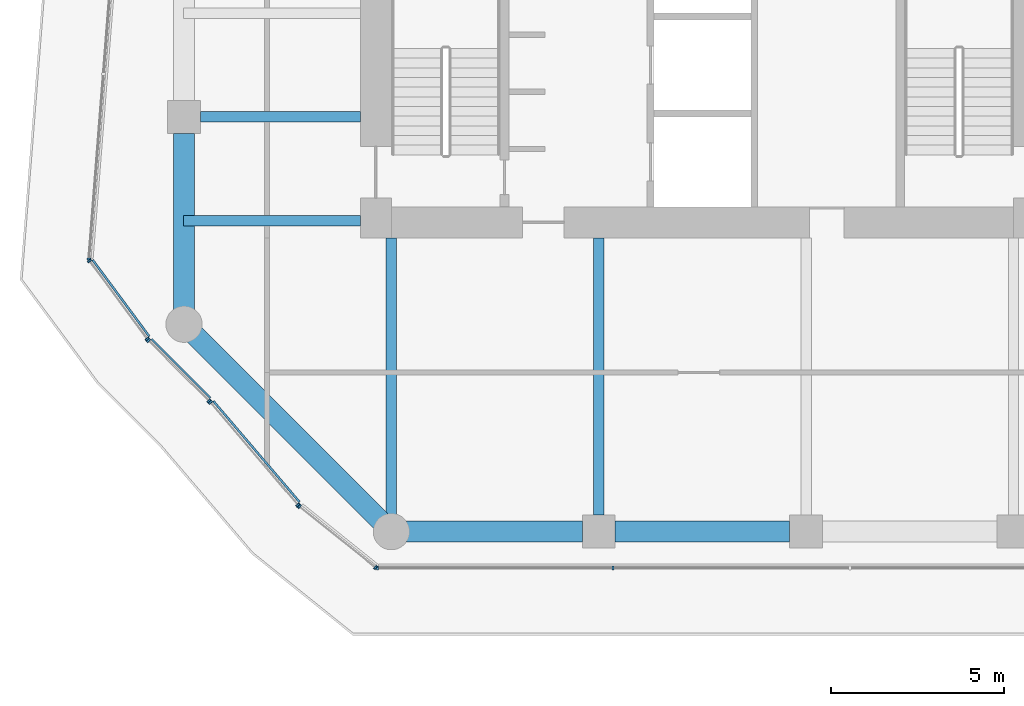
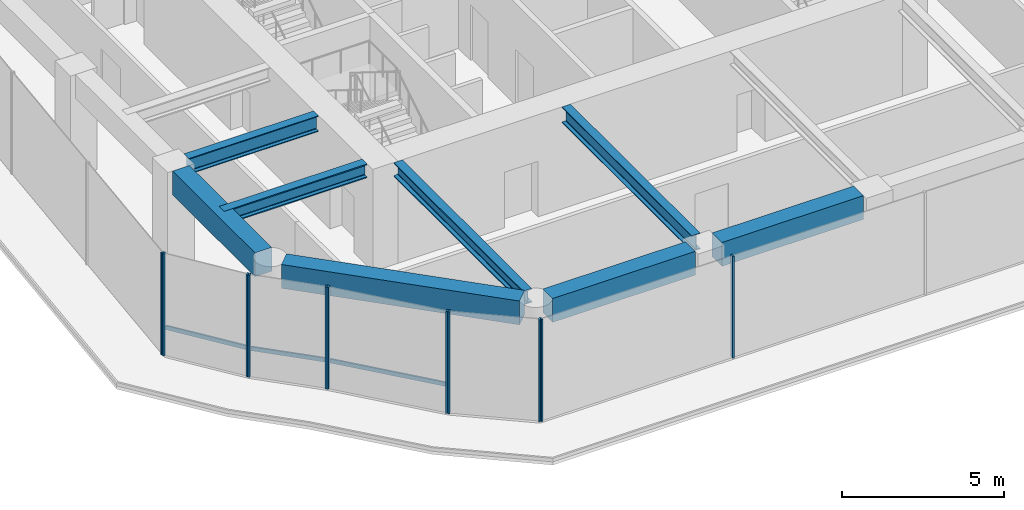
# One storey, part 2 of 29: 14 members, 8 beams, 6 elements without a shape of their own.
"""IFC4 building model written with IfcOpenShell, lengths in metres."""

from ifc_helpers import new_model, si_unit, direction, frame, origin, origin_2d, place, context, subcontext, project, spatial, rectangle, i_section, extrude, material, layer, layer_set, material_profile, profile_set, type_object, element, aggregate, save


model = new_model("IFC4")

# Units and contexts
model_context = context("Model", 3, precision=1e-05, world=origin(), true_north=direction((0.0, 1.0)))
body_context = subcontext(model_context, "Body", "Model", "MODEL_VIEW")
ifc_project = project(units=[si_unit("LENGTHUNIT", "METRE"), si_unit("AREAUNIT", "SQUARE_METRE"), si_unit("VOLUMEUNIT", "CUBIC_METRE"), si_unit("PLANEANGLEUNIT", "RADIAN"), si_unit("MASSUNIT", "GRAM", prefix="KILO")], contexts=[model_context])

# Site, building, storey
site_placement = place(None, origin())
site = spatial("IfcSite", under=ifc_project, at=site_placement, CompositionType="ELEMENT")
building_placement = place(site_placement, origin())
building = spatial("IfcBuilding", under=site, at=building_placement, Name="Welwitschia Terrace Campus", CompositionType="ELEMENT")
storey_placement = place(building_placement, frame((0.0, 0.0, 33.199951171875)))
storey = spatial("IfcBuildingStorey", under=building, at=storey_placement, Name="L07", CompositionType="ELEMENT", Elevation=33.199951171875)

# Beams
ifc_material_1 = material(Name="Steel S355", Category="steel")
ifc_material_profile_1 = material_profile(ifc_material_1, i_section(OverallWidth=0.305908203125, OverallDepth=0.52392578125, WebThickness=0.02099609375, FlangeThickness=0.0400390625, FilletRadius=0.027099609375, at=origin_2d()))
ifc_profile_set_1 = profile_set([ifc_material_profile_1], Name="Steel S355")
beam_type_1 = type_object("IfcBeamType", Name="Interior girder HE 500 M", PredefinedType="BEAM", material=ifc_profile_set_1)
beam_1_placement = place(storey_placement, frame((-0.010009765625, 5.0, 3.588134765625), z_axis=(1.0, 0.0, 0.0), x_axis=(0.0, 1.0, 0.0)))
element("IfcBeam", 1, at=beam_1_placement, inside=storey, type_object=beam_type_1, Name="Girder GB2", PredefinedType="BEAM", context=body_context, shape_type="SweptSolid", body=[
    extrude(i_section(OverallWidth=0.305908203125, OverallDepth=0.52392578125, WebThickness=0.02099609375, FlangeThickness=0.0400390625, FilletRadius=0.027099609375, at=origin_2d()), origin(), (0.0, 0.0, 1.0), 5.109130859375),
])
beam_2_placement = place(storey_placement, frame((6.0, -3.507080078125, 3.588134765625), z_axis=(0.0, 1.0, 0.0), x_axis=(-1.0, 0.0, 0.0)))
element("IfcBeam", 2, at=beam_2_placement, inside=storey, type_object=beam_type_1, Name="Girder GB2", PredefinedType="BEAM", context=body_context, shape_type="SweptSolid", body=[
    extrude(i_section(OverallWidth=0.305908203125, OverallDepth=0.52392578125, WebThickness=0.02099609375, FlangeThickness=0.0400390625, FilletRadius=0.027099609375, at=origin_2d()), origin(), (0.0, 0.0, 1.0), 8.006103515625),
])

# Curtain wall, member
ifc_material_2 = material(Name="Bronze anodised aluminium", Category="aluminium")
ifc_layer = layer(ifc_material_2, 0.1201171875)
ifc_layer_set = layer_set([ifc_layer], Name="Bronze anodised aluminium")
curtain_wall_type = type_object("IfcCurtainWallType", Name="Curtain wall CW2 tower 6000", PredefinedType="NOTDEFINED", material=ifc_layer_set)
curtain_wall_1_placement = place(storey_placement, origin())
curtain_wall_1 = element("IfcCurtainWall", 3, at=curtain_wall_1_placement, inside=storey, type_object=curtain_wall_type, Name="CW L07.0.0", PredefinedType="NOTDEFINED")
ifc_material_3 = material(Name="Bronze anodised aluminium", Category="aluminium")
ifc_material_profile_2 = material_profile(ifc_material_3, rectangle(XDim=0.1201171875, YDim=0.06005859375, at=origin_2d()))
ifc_profile_set_2 = profile_set([ifc_material_profile_2], Name="Bronze anodised aluminium")
member_type_1 = type_object("IfcMemberType", Name="Mullion 60x120", PredefinedType="MULLION", material=ifc_profile_set_2)
member_1_placement = place(storey_placement, frame((-2.7509765625, 3.886474609375, 0.0), z_axis=(0.0, 0.0, 1.0), x_axis=(0.996917333733, -0.078459095728, 0.0)))
member_1 = element("IfcMember", 4, at=member_1_placement, type_object=member_type_1, Name="Mullion L07.0.0.4", PredefinedType="MULLION", context=body_context, shape_type="SweptSolid", body=[
    extrude(rectangle(XDim=0.1201171875, YDim=0.06005859375, at=origin_2d()), origin(), (0.0, 0.0, 1.0), 3.85009765625),
])
aggregate(curtain_wall_1, [member_1])

# Curtain wall, members
curtain_wall_2_placement = place(storey_placement, origin())
curtain_wall_2 = element("IfcCurtainWall", 5, at=curtain_wall_2_placement, inside=storey, type_object=curtain_wall_type, Name="CW L07.1.0", PredefinedType="NOTDEFINED")
member_2_placement = place(storey_placement, frame((-2.735595703125, 3.83251953125, 0.0), z_axis=(0.0, 0.0, 1.0), x_axis=(0.803710407844, 0.595020655375, 0.0)))
member_2 = element("IfcMember", 6, at=member_2_placement, type_object=member_type_1, Name="Mullion L07.1.0.0", PredefinedType="MULLION", context=body_context, shape_type="SweptSolid", body=[
    extrude(rectangle(XDim=0.1201171875, YDim=0.06005859375, at=origin_2d()), origin(), (0.0, 0.0, 1.0), 3.85009765625),
])
member_3_placement = place(storey_placement, frame((-1.06201171875, 1.572021484375, 0.0), z_axis=(0.0, 0.0, 1.0), x_axis=(0.803710407844, 0.595020655375, 0.0)))
member_3 = element("IfcMember", 7, at=member_3_placement, type_object=member_type_1, Name="Mullion L07.1.0.1", PredefinedType="MULLION", context=body_context, shape_type="SweptSolid", body=[
    extrude(rectangle(XDim=0.1201171875, YDim=0.06005859375, at=origin_2d()), origin(), (0.0, 0.0, 1.0), 3.85009765625),
])

curtain_wall_3_placement = place(storey_placement, origin())
curtain_wall_3 = element("IfcCurtainWall", 8, at=curtain_wall_3_placement, inside=storey, type_object=curtain_wall_type, Name="CW L07.2.0", PredefinedType="NOTDEFINED")
member_4_placement = place(storey_placement, frame((-1.02294921875, 1.526611328125, 0.0), z_axis=(0.0, 0.0, 1.0), x_axis=(0.707106781187, 0.707106781187, 0.0)))
member_4 = element("IfcMember", 9, at=member_4_placement, type_object=member_type_1, Name="Mullion L07.2.0.0", PredefinedType="MULLION", context=body_context, shape_type="SweptSolid", body=[
    extrude(rectangle(XDim=0.1201171875, YDim=0.06005859375, at=origin_2d()), origin(), (0.0, 0.0, 1.0), 3.85009765625),
])
member_5_placement = place(storey_placement, frame((0.719482421875, -0.2158203125, 0.0), z_axis=(0.0, 0.0, 1.0), x_axis=(0.707106781187, 0.707106781187, 0.0)))
member_5 = element("IfcMember", 10, at=member_5_placement, type_object=member_type_1, Name="Mullion L07.2.0.1", PredefinedType="MULLION", context=body_context, shape_type="SweptSolid", body=[
    extrude(rectangle(XDim=0.1201171875, YDim=0.06005859375, at=origin_2d()), origin(), (0.0, 0.0, 1.0), 3.85009765625),
])

curtain_wall_4_placement = place(storey_placement, origin())
curtain_wall_4 = element("IfcCurtainWall", 11, at=curtain_wall_4_placement, inside=storey, type_object=curtain_wall_type, Name="CW L07.3.0", PredefinedType="NOTDEFINED")
member_6_placement = place(storey_placement, frame((0.76025390625, -0.259765625, 0.0), z_axis=(0.0, 0.0, 1.0), x_axis=(0.7604059656, 0.64944804833, 0.0)))
member_6 = element("IfcMember", 12, at=member_6_placement, type_object=member_type_1, Name="Mullion L07.3.0.0", PredefinedType="MULLION", context=body_context, shape_type="SweptSolid", body=[
    extrude(rectangle(XDim=0.1201171875, YDim=0.06005859375, at=origin_2d()), origin(), (0.0, 0.0, 1.0), 3.85009765625),
])
member_7_placement = place(storey_placement, frame((3.294921875, -3.2275390625, 0.0), z_axis=(0.0, 0.0, 1.0), x_axis=(0.7604059656, 0.64944804833, 0.0)))
member_7 = element("IfcMember", 13, at=member_7_placement, type_object=member_type_1, Name="Mullion L07.3.0.1", PredefinedType="MULLION", context=body_context, shape_type="SweptSolid", body=[
    extrude(rectangle(XDim=0.1201171875, YDim=0.06005859375, at=origin_2d()), origin(), (0.0, 0.0, 1.0), 3.85009765625),
])

curtain_wall_5_placement = place(storey_placement, origin())
curtain_wall_5 = element("IfcCurtainWall", 14, at=curtain_wall_5_placement, inside=storey, type_object=curtain_wall_type, Name="CW L07.4.0", PredefinedType="NOTDEFINED")
member_8_placement = place(storey_placement, frame((3.337890625, -3.26904296875, 0.0), z_axis=(0.0, 0.0, 1.0), x_axis=(0.626145035891, 0.77970660766, 0.0)))
member_8 = element("IfcMember", 15, at=member_8_placement, type_object=member_type_1, Name="Mullion L07.4.0.0", PredefinedType="MULLION", context=body_context, shape_type="SweptSolid", body=[
    extrude(rectangle(XDim=0.1201171875, YDim=0.06005859375, at=origin_2d()), origin(), (0.0, 0.0, 1.0), 3.85009765625),
])
member_9_placement = place(storey_placement, frame((5.5419921875, -5.039306640625, 0.0), z_axis=(0.0, 0.0, 1.0), x_axis=(0.626145035891, 0.77970660766, 0.0)))
member_9 = element("IfcMember", 16, at=member_9_placement, type_object=member_type_1, Name="Mullion L07.4.0.1", PredefinedType="MULLION", context=body_context, shape_type="SweptSolid", body=[
    extrude(rectangle(XDim=0.1201171875, YDim=0.06005859375, at=origin_2d()), origin(), (0.0, 0.0, 1.0), 3.85009765625),
])
aggregate(curtain_wall_5, [member_8, member_9])

curtain_wall_6_placement = place(storey_placement, origin())
curtain_wall_6 = element("IfcCurtainWall", 17, at=curtain_wall_6_placement, inside=storey, type_object=curtain_wall_type, Name="CW L07.5.0", PredefinedType="NOTDEFINED")
member_10_placement = place(storey_placement, frame((5.595458984375, -5.05810546875, 0.0), z_axis=(0.0, 0.0, 1.0), x_axis=(0.0, 1.0, 0.0)))
member_10 = element("IfcMember", 18, at=member_10_placement, type_object=member_type_1, Name="Mullion L07.5.0.0", PredefinedType="MULLION", context=body_context, shape_type="SweptSolid", body=[
    extrude(rectangle(XDim=0.1201171875, YDim=0.06005859375, at=origin_2d()), origin(), (0.0, 0.0, 1.0), 3.85009765625),
])
member_11_placement = place(storey_placement, frame((12.41552734375, -5.05810546875, 0.0), z_axis=(0.0, 0.0, 1.0), x_axis=(0.0, 1.0, 0.0)))
member_11 = element("IfcMember", 19, at=member_11_placement, type_object=member_type_1, Name="Mullion L07.5.0.1", PredefinedType="MULLION", context=body_context, shape_type="SweptSolid", body=[
    extrude(rectangle(XDim=0.1201171875, YDim=0.06005859375, at=origin_2d()), origin(), (0.0, 0.0, 1.0), 3.85009765625),
])
aggregate(curtain_wall_6, [member_10, member_11])

# Beams
ifc_material_4 = material(Name="Steel S355", Category="steel")
ifc_material_profile_3 = material_profile(ifc_material_4, i_section(OverallWidth=0.300048828125, OverallDepth=0.60009765625, WebThickness=0.015380859375, FlangeThickness=0.030029296875, FilletRadius=0.027099609375, at=origin_2d()))
ifc_profile_set_3 = profile_set([ifc_material_profile_3], Name="Steel S355")
beam_type_2 = type_object("IfcBeamType", Name="Primary beam HE 600 B", PredefinedType="BEAM", material=ifc_profile_set_3)
beam_3_placement = place(storey_placement, frame((12.0, -3.5244140625, 3.550048828125), z_axis=(0.0, 1.0, 0.0), x_axis=(-1.0, 0.0, 0.0)))
element("IfcBeam", 20, at=beam_3_placement, inside=storey, type_object=beam_type_2, Name="Primary beam PB2", PredefinedType="BEAM", context=body_context, shape_type="SweptSolid", body=[
    extrude(i_section(OverallWidth=0.300048828125, OverallDepth=0.60009765625, WebThickness=0.015380859375, FlangeThickness=0.030029296875, FilletRadius=0.027099609375, at=origin_2d()), origin(), (0.0, 0.0, 1.0), 8.0244140625),
])
beam_4_placement = place(storey_placement, frame((0.4755859375, 8.0, 3.550048828125), z_axis=(1.0, 0.0, 0.0), x_axis=(0.0, 1.0, 0.0)))
element("IfcBeam", 21, at=beam_4_placement, inside=storey, type_object=beam_type_2, Name="Primary beam PB2", PredefinedType="BEAM", context=body_context, shape_type="SweptSolid", body=[
    extrude(i_section(OverallWidth=0.300048828125, OverallDepth=0.60009765625, WebThickness=0.015380859375, FlangeThickness=0.030029296875, FilletRadius=0.027099609375, at=origin_2d()), origin(), (0.0, 0.0, 1.0), 4.62451171875),
])
ifc_material_5 = material(Name="Concrete C60/75", Category="concrete")
ifc_material_profile_4 = material_profile(ifc_material_5, rectangle(XDim=0.60009765625, YDim=0.89990234375, at=origin_2d()))
ifc_profile_set_4 = profile_set([ifc_material_profile_4], Name="Concrete C60/75")
beam_type_3 = type_object("IfcBeamType", Name="Ring spandrel 600x900", PredefinedType="SPANDREL", material=ifc_profile_set_4)
beam_5_placement = place(storey_placement, frame((0.30517578125, 1.69482421875, 3.400146484375), z_axis=(0.707106781187, -0.707106781187, 0.0), x_axis=(0.707106781187, 0.707106781187, 0.0)))
element("IfcBeam", 22, at=beam_5_placement, inside=storey, type_object=beam_type_3, Name="Spandrel SP2", PredefinedType="SPANDREL", context=body_context, shape_type="SweptSolid", body=[
    extrude(rectangle(XDim=0.60009765625, YDim=0.89990234375, at=origin_2d()), origin(), (0.0, 0.0, 1.0), 7.6220703125),
])
beam_6_placement = place(storey_placement, frame((6.431396484375, -4.0, 3.400146484375), z_axis=(1.0, 0.0, 0.0), x_axis=(0.0, 1.0, 0.0)))
element("IfcBeam", 23, at=beam_6_placement, inside=storey, type_object=beam_type_3, Name="Spandrel SP2", PredefinedType="SPANDREL", context=body_context, shape_type="SweptSolid", body=[
    extrude(rectangle(XDim=0.60009765625, YDim=0.89990234375, at=origin_2d()), origin(), (0.0, 0.0, 1.0), 5.093017578125),
])
beam_7_placement = place(storey_placement, frame((12.4755859375, -4.0, 3.400146484375), z_axis=(1.0, 0.0, 0.0), x_axis=(0.0, 1.0, 0.0)))
element("IfcBeam", 24, at=beam_7_placement, inside=storey, type_object=beam_type_3, Name="Spandrel SP2", PredefinedType="SPANDREL", context=body_context, shape_type="SweptSolid", body=[
    extrude(rectangle(XDim=0.60009765625, YDim=0.89990234375, at=origin_2d()), origin(), (0.0, 0.0, 1.0), 5.048828125),
])
beam_8_placement = place(storey_placement, frame((0.0, 7.5244140625, 3.400146484375), z_axis=(0.0, -1.0, 0.0), x_axis=(1.0, 0.0, 0.0)))
element("IfcBeam", 25, at=beam_8_placement, inside=storey, type_object=beam_type_3, Name="Spandrel SP2", PredefinedType="SPANDREL", context=body_context, shape_type="SweptSolid", body=[
    extrude(rectangle(XDim=0.60009765625, YDim=0.89990234375, at=origin_2d()), origin(), (0.0, 0.0, 1.0), 5.093017578125),
])

# Member
ifc_material_6 = material(Name="Bronze anodised aluminium", Category="aluminium")
ifc_material_profile_5 = material_profile(ifc_material_6, rectangle(XDim=0.06005859375, YDim=0.14990234375, at=origin_2d()))
ifc_profile_set_5 = profile_set([ifc_material_profile_5], Name="Bronze anodised aluminium")
member_type_2 = type_object("IfcMemberType", Name="Transom 60x150", PredefinedType="USERDEFINED", material=ifc_profile_set_5)
member_12_placement = place(storey_placement, frame((-2.645263671875, 3.86181640625, 1.0), z_axis=(0.595064208096, -0.803678162104, 0.0), x_axis=(0.803678162104, 0.595064208096, 0.0)))
member_12 = element("IfcMember", 26, at=member_12_placement, type_object=member_type_2, Name="Transom L07.1.0", ObjectType="TRANSOM", PredefinedType="USERDEFINED", context=body_context, shape_type="SweptSolid", body=[
    extrude(rectangle(XDim=0.06005859375, YDim=0.14990234375, at=origin_2d()), origin(), (0.0, 0.0, 1.0), 2.75244140625),
])

aggregate(curtain_wall_2, [member_2, member_3, member_12])

member_13_placement = place(storey_placement, frame((-0.93798828125, 1.569091796875, 1.0), z_axis=(0.707106781187, -0.707106781187, 0.0), x_axis=(0.707106781187, 0.707106781187, 0.0)))
member_13 = element("IfcMember", 27, at=member_13_placement, type_object=member_type_2, Name="Transom L07.2.0", ObjectType="TRANSOM", PredefinedType="USERDEFINED", context=body_context, shape_type="SweptSolid", body=[
    extrude(rectangle(XDim=0.06005859375, YDim=0.14990234375, at=origin_2d()), origin(), (0.0, 0.0, 1.0), 2.404052734375),
])

aggregate(curtain_wall_3, [member_4, member_5, member_13])

member_14_placement = place(storey_placement, frame((0.84814453125, -0.22412109375, 1.0), z_axis=(0.649429984345, -0.76042139333, 0.0), x_axis=(0.76042139333, 0.649429984345, 0.0)))
member_14 = element("IfcMember", 28, at=member_14_placement, type_object=member_type_2, Name="Transom L07.3.0", ObjectType="TRANSOM", PredefinedType="USERDEFINED", context=body_context, shape_type="SweptSolid", body=[
    extrude(rectangle(XDim=0.06005859375, YDim=0.14990234375, at=origin_2d()), origin(), (0.0, 0.0, 1.0), 3.8427734375),
])

aggregate(curtain_wall_4, [member_6, member_7, member_14])

save(model, "model.ifc")
